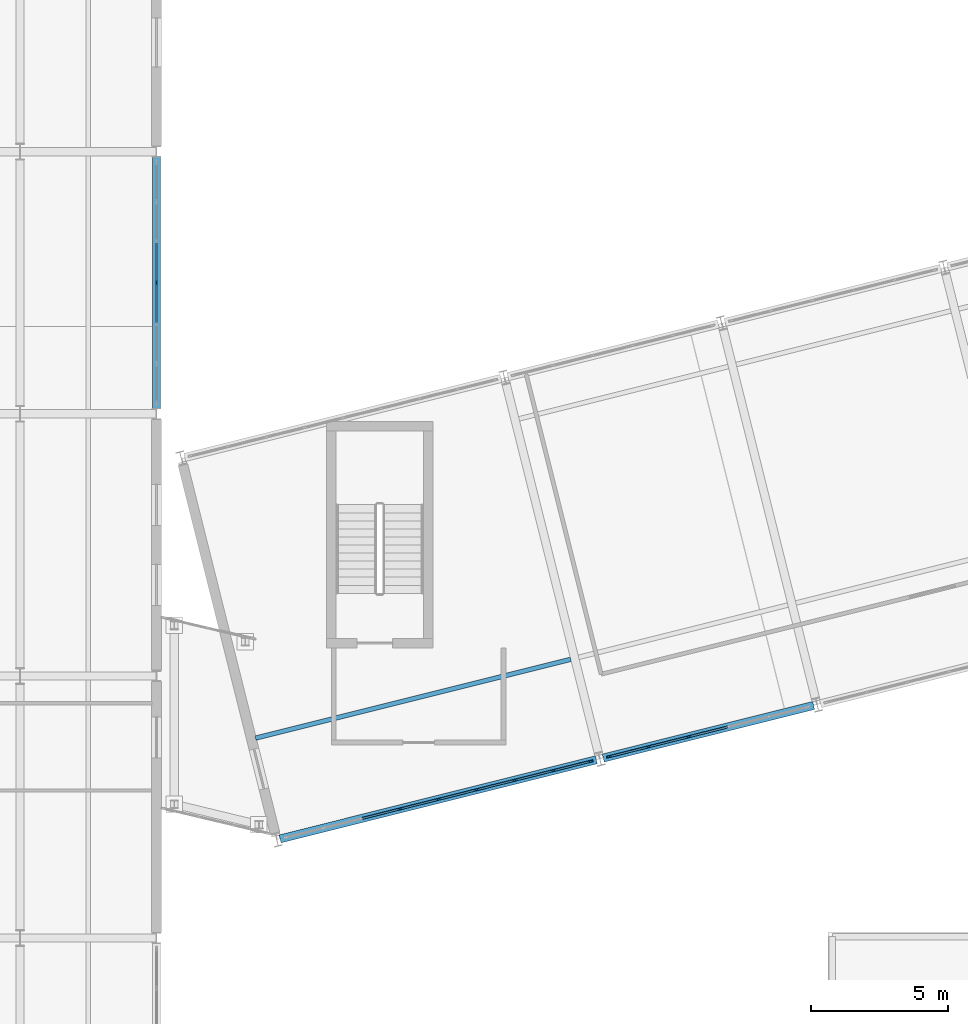
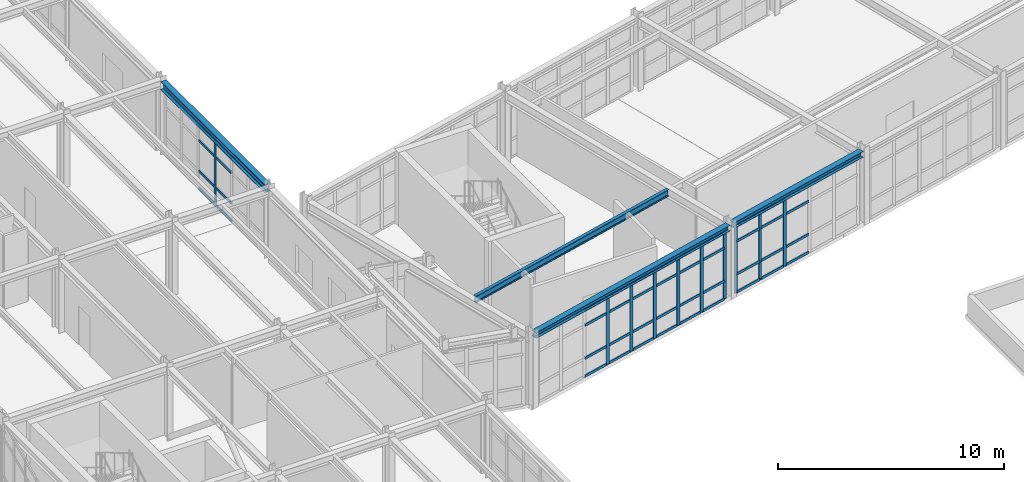
# One storey, part 26 of 99: 53 members, 4 beams, 3 elements without a shape of their own.
"""IFC4 building model written with IfcOpenShell, lengths in metres."""

from ifc_helpers import new_model, si_unit, direction, frame, origin, origin_2d, place, context, subcontext, project, spatial, rectangle, i_section, extrude, material, layer, layer_set, material_profile, profile_set, type_object, element, aggregate, save


model = new_model("IFC4")

# Units and contexts
model_context = context("Model", 3, precision=1e-05, world=origin(), true_north=direction((0.0, 1.0)))
body_context = subcontext(model_context, "Body", "Model", "MODEL_VIEW")
ifc_project = project(units=[si_unit("LENGTHUNIT", "METRE"), si_unit("AREAUNIT", "SQUARE_METRE"), si_unit("VOLUMEUNIT", "CUBIC_METRE"), si_unit("PLANEANGLEUNIT", "RADIAN"), si_unit("MASSUNIT", "GRAM", prefix="KILO")], contexts=[model_context])

# Site, building, storey
site_placement = place(None, origin())
site = spatial("IfcSite", under=ifc_project, at=site_placement, CompositionType="ELEMENT")
building_placement = place(site_placement, origin())
building = spatial("IfcBuilding", under=site, at=building_placement, Name="Nordkorset Police Headquarters", CompositionType="ELEMENT")
storey_placement = place(building_placement, frame((0.0, 0.0, 5.25)))
storey = spatial("IfcBuildingStorey", under=building, at=storey_placement, Name="L01", CompositionType="ELEMENT", Elevation=5.25)

# Beam
ifc_material_1 = material(Name="Steel S355J2", Category="steel")
ifc_material_profile_1 = material_profile(ifc_material_1, i_section(OverallWidth=0.169921875, OverallDepth=0.360107421875, WebThickness=0.008056640625, FlangeThickness=0.0126953125, FilletRadius=0.01806640625, at=origin_2d()), Name="IPE 360")
ifc_profile_set_1 = profile_set([ifc_material_profile_1], Name="Steel S355J2")
beam_type_1 = type_object("IfcBeamType", Name="Beam_IPE_360", PredefinedType="BEAM", material=ifc_profile_set_1)
beam_1_placement = place(storey_placement, frame((22.823974609375, 45.722900390625, 3.780029296875), z_axis=(0.970141293308, 0.242540452333, 0.0), x_axis=(-0.242540452333, 0.970141293308, 0.0)))
element("IfcBeam", 1, at=beam_1_placement, inside=storey, type_object=beam_type_1, Name="Splayed Wing Secondary Beam L01 0-1", PredefinedType="BEAM", context=body_context, shape_type="SweptSolid", body=[
    extrude(i_section(OverallWidth=0.169921875, OverallDepth=0.360107421875, WebThickness=0.008056640625, FlangeThickness=0.0126953125, FilletRadius=0.01806640625, at=origin_2d()), origin(), (0.0, 0.0, 1.0), 11.89990234375),
])

# Curtain wall, member
ifc_material_2 = material(Name="Aluminium alloy AW-6060", Category="aluminium")
ifc_layer_1 = layer(ifc_material_2, 0.179931640625, Name="Aluminium alloy AW-6060")
ifc_layer_set_1 = layer_set([ifc_layer_1], Name="Aluminium alloy AW-6060")
curtain_wall_type_1 = type_object("IfcCurtainWallType", Name="CW_Unit_888x350", PredefinedType="USERDEFINED", material=ifc_layer_set_1)
curtain_wall_1_placement = place(storey_placement, origin())
curtain_wall_1 = element("IfcCurtainWall", 2, at=curtain_wall_1_placement, inside=storey, type_object=curtain_wall_type_1, Name="Unitised Curtain Wall L01 V3E-3", ObjectType="UNITISED CURTAIN WALL", PredefinedType="USERDEFINED")
ifc_material_3 = material(Name="Aluminium alloy AW-6060", Category="aluminium")
ifc_material_profile_2 = material_profile(ifc_material_3, rectangle(XDim=0.06494140625, YDim=0.179931640625, at=origin_2d()), Name="ALU MULL 65x180")
ifc_profile_set_2 = profile_set([ifc_material_profile_2], Name="Aluminium alloy AW-6060")
member_type_1 = type_object("IfcMemberType", Name="CW_Mullion_65x180", PredefinedType="MULLION", material=ifc_profile_set_2)
member_1_placement = place(storey_placement, frame((19.199951171875, 62.39990234375, 0.0), z_axis=(0.0, 0.0, 1.0), x_axis=(-1.0, 0.0, 0.0)))
member_1 = element("IfcMember", 3, at=member_1_placement, type_object=member_type_1, Name="CW-95 mullion 4", PredefinedType="MULLION", context=body_context, shape_type="SweptSolid", body=[
    extrude(rectangle(XDim=0.06494140625, YDim=0.179931640625, at=origin_2d()), origin(), (0.0, 0.0, 1.0), 3.5),
])

# Curtain wall, members
ifc_material_4 = material(Name="Aluminium alloy AW-6060", Category="aluminium")
ifc_layer_2 = layer(ifc_material_4, 0.179931640625, Name="Aluminium alloy AW-6060")
ifc_layer_set_2 = layer_set([ifc_layer_2], Name="Aluminium alloy AW-6060")
curtain_wall_type_2 = type_object("IfcCurtainWallType", Name="CW_Unit_1156x363", PredefinedType="USERDEFINED", material=ifc_layer_set_2)
curtain_wall_2_placement = place(storey_placement, origin())
curtain_wall_2 = element("IfcCurtainWall", 4, at=curtain_wall_2_placement, inside=storey, type_object=curtain_wall_type_2, Name="Unitised Curtain Wall L01 V4S-0", ObjectType="UNITISED CURTAIN WALL", PredefinedType="USERDEFINED")
member_2_placement = place(storey_placement, frame((28.115966796875, 43.12890625, 0.0), z_axis=(0.0, 0.0, 1.0), x_axis=(-0.242535625038, 0.970142500145, 0.0)))
member_2 = element("IfcMember", 5, at=member_2_placement, type_object=member_type_1, Name="CW-01 mullion 4", PredefinedType="MULLION", context=body_context, shape_type="SweptSolid", body=[
    extrude(rectangle(XDim=0.06494140625, YDim=0.179931640625, at=origin_2d()), origin(), (0.0, 0.0, 1.0), 3.6298828125),
])
member_3_placement = place(storey_placement, frame((29.517822265625, 43.4794921875, 0.0), z_axis=(0.0, 0.0, 1.0), x_axis=(-0.242535625038, 0.970142500145, 0.0)))
member_3 = element("IfcMember", 6, at=member_3_placement, type_object=member_type_1, Name="CW-01 mullion 5", PredefinedType="MULLION", context=body_context, shape_type="SweptSolid", body=[
    extrude(rectangle(XDim=0.06494140625, YDim=0.179931640625, at=origin_2d()), origin(), (0.0, 0.0, 1.0), 3.6298828125),
])
member_4_placement = place(storey_placement, frame((30.919677734375, 43.829833984375, 0.0), z_axis=(0.0, 0.0, 1.0), x_axis=(-0.242535625038, 0.970142500145, 0.0)))
member_4 = element("IfcMember", 7, at=member_4_placement, type_object=member_type_1, Name="CW-01 mullion 6", PredefinedType="MULLION", context=body_context, shape_type="SweptSolid", body=[
    extrude(rectangle(XDim=0.06494140625, YDim=0.179931640625, at=origin_2d()), origin(), (0.0, 0.0, 1.0), 3.6298828125),
])
member_5_placement = place(storey_placement, frame((32.321533203125, 44.180419921875, 0.0), z_axis=(0.0, 0.0, 1.0), x_axis=(-0.242535625038, 0.970142500145, 0.0)))
member_5 = element("IfcMember", 8, at=member_5_placement, type_object=member_type_1, Name="CW-01 mullion 7", PredefinedType="MULLION", context=body_context, shape_type="SweptSolid", body=[
    extrude(rectangle(XDim=0.06494140625, YDim=0.179931640625, at=origin_2d()), origin(), (0.0, 0.0, 1.0), 3.6298828125),
])
member_6_placement = place(storey_placement, frame((33.723388671875, 44.53076171875, 0.0), z_axis=(0.0, 0.0, 1.0), x_axis=(-0.242535625038, 0.970142500145, 0.0)))
member_6 = element("IfcMember", 9, at=member_6_placement, type_object=member_type_1, Name="CW-01 mullion 8", PredefinedType="MULLION", context=body_context, shape_type="SweptSolid", body=[
    extrude(rectangle(XDim=0.06494140625, YDim=0.179931640625, at=origin_2d()), origin(), (0.0, 0.0, 1.0), 3.6298828125),
])
member_7_placement = place(storey_placement, frame((35.09375, 44.87353515625, 0.0), z_axis=(0.0, 0.0, 1.0), x_axis=(-0.242535625038, 0.970142500145, 0.0)))
member_7 = element("IfcMember", 10, at=member_7_placement, type_object=member_type_1, Name="CW-01 mullion 9", PredefinedType="MULLION", context=body_context, shape_type="SweptSolid", body=[
    extrude(rectangle(XDim=0.06494140625, YDim=0.179931640625, at=origin_2d()), origin(), (0.0, 0.0, 1.0), 3.6298828125),
])

ifc_material_5 = material(Name="Aluminium alloy AW-6060", Category="aluminium")
ifc_layer_3 = layer(ifc_material_5, 0.179931640625, Name="Aluminium alloy AW-6060")
ifc_layer_set_3 = layer_set([ifc_layer_3], Name="Aluminium alloy AW-6060")
curtain_wall_type_3 = type_object("IfcCurtainWallType", Name="CW_Unit_756x363", PredefinedType="USERDEFINED", material=ifc_layer_set_3)
curtain_wall_3_placement = place(storey_placement, origin())
curtain_wall_3 = element("IfcCurtainWall", 11, at=curtain_wall_3_placement, inside=storey, type_object=curtain_wall_type_3, Name="Unitised Curtain Wall L01 V4S-1", ObjectType="UNITISED CURTAIN WALL", PredefinedType="USERDEFINED")
member_8_placement = place(storey_placement, frame((35.777587890625, 45.04443359375, 0.0), z_axis=(0.0, 0.0, 1.0), x_axis=(-0.242535625038, 0.970142500145, 0.0)))
member_8 = element("IfcMember", 12, at=member_8_placement, type_object=member_type_1, Name="CW-24 mullion 1", PredefinedType="MULLION", context=body_context, shape_type="SweptSolid", body=[
    extrude(rectangle(XDim=0.06494140625, YDim=0.179931640625, at=origin_2d()), origin(), (0.0, 0.0, 1.0), 3.6298828125),
])
member_9_placement = place(storey_placement, frame((37.213134765625, 45.4033203125, 0.0), z_axis=(0.0, 0.0, 1.0), x_axis=(-0.242535625038, 0.970142500145, 0.0)))
member_9 = element("IfcMember", 13, at=member_9_placement, type_object=member_type_1, Name="CW-24 mullion 2", PredefinedType="MULLION", context=body_context, shape_type="SweptSolid", body=[
    extrude(rectangle(XDim=0.06494140625, YDim=0.179931640625, at=origin_2d()), origin(), (0.0, 0.0, 1.0), 3.6298828125),
])
member_10_placement = place(storey_placement, frame((38.679931640625, 45.77001953125, 0.0), z_axis=(0.0, 0.0, 1.0), x_axis=(-0.242535625038, 0.970142500145, 0.0)))
member_10 = element("IfcMember", 14, at=member_10_placement, type_object=member_type_1, Name="CW-24 mullion 3", PredefinedType="MULLION", context=body_context, shape_type="SweptSolid", body=[
    extrude(rectangle(XDim=0.06494140625, YDim=0.179931640625, at=origin_2d()), origin(), (0.0, 0.0, 1.0), 3.6298828125),
])

# Member
ifc_material_6 = material(Name="Aluminium alloy AW-6060", Category="aluminium")
ifc_material_profile_3 = material_profile(ifc_material_6, rectangle(XDim=0.06494140625, YDim=0.139892578125, at=origin_2d()), Name="ALU TRAN 65x140")
ifc_profile_set_3 = profile_set([ifc_material_profile_3], Name="Aluminium alloy AW-6060")
member_type_2 = type_object("IfcMemberType", Name="CW_Transom_65x140", PredefinedType="USERDEFINED", material=ifc_profile_set_3)
member_11_placement = place(storey_placement, frame((19.199951171875, 60.952392578125, 0.032470703125), z_axis=(0.0, 1.0, 0.0), x_axis=(-1.0, 0.0, 0.0)))
member_11 = element("IfcMember", 15, at=member_11_placement, type_object=member_type_2, Name="CW-95 transom 3.1", ObjectType="TRANSOM", PredefinedType="USERDEFINED", context=body_context, shape_type="SweptSolid", body=[
    extrude(rectangle(XDim=0.06494140625, YDim=0.139892578125, at=origin_2d()), origin(), (0.0, 0.0, 1.0), 1.4150390625),
])

member_12_placement = place(storey_placement, frame((19.199951171875, 60.952392578125, 1.0), z_axis=(0.0, 1.0, 0.0), x_axis=(-1.0, 0.0, 0.0)))
member_12 = element("IfcMember", 16, at=member_12_placement, type_object=member_type_2, Name="CW-95 transom 3.2", ObjectType="TRANSOM", PredefinedType="USERDEFINED", context=body_context, shape_type="SweptSolid", body=[
    extrude(rectangle(XDim=0.06494140625, YDim=0.139892578125, at=origin_2d()), origin(), (0.0, 0.0, 1.0), 1.4150390625),
])

member_13_placement = place(storey_placement, frame((19.199951171875, 60.952392578125, 2.64990234375), z_axis=(0.0, 1.0, 0.0), x_axis=(-1.0, 0.0, 0.0)))
member_13 = element("IfcMember", 17, at=member_13_placement, type_object=member_type_2, Name="CW-95 transom 3.3", ObjectType="TRANSOM", PredefinedType="USERDEFINED", context=body_context, shape_type="SweptSolid", body=[
    extrude(rectangle(XDim=0.06494140625, YDim=0.139892578125, at=origin_2d()), origin(), (0.0, 0.0, 1.0), 1.4150390625),
])

member_14_placement = place(storey_placement, frame((19.199951171875, 60.952392578125, 3.467529296875), z_axis=(0.0, 1.0, 0.0), x_axis=(-1.0, 0.0, 0.0)))
member_14 = element("IfcMember", 18, at=member_14_placement, type_object=member_type_2, Name="CW-95 transom 3.4", ObjectType="TRANSOM", PredefinedType="USERDEFINED", context=body_context, shape_type="SweptSolid", body=[
    extrude(rectangle(XDim=0.06494140625, YDim=0.139892578125, at=origin_2d()), origin(), (0.0, 0.0, 1.0), 1.4150390625),
])

member_15_placement = place(storey_placement, frame((19.199951171875, 62.4326171875, 0.032470703125), z_axis=(0.0, 1.0, 0.0), x_axis=(-1.0, 0.0, 0.0)))
member_15 = element("IfcMember", 19, at=member_15_placement, type_object=member_type_2, Name="CW-95 transom 4.1", ObjectType="TRANSOM", PredefinedType="USERDEFINED", context=body_context, shape_type="SweptSolid", body=[
    extrude(rectangle(XDim=0.06494140625, YDim=0.139892578125, at=origin_2d()), origin(), (0.0, 0.0, 1.0), 1.414794921875),
])

member_16_placement = place(storey_placement, frame((19.199951171875, 62.4326171875, 1.0), z_axis=(0.0, 1.0, 0.0), x_axis=(-1.0, 0.0, 0.0)))
member_16 = element("IfcMember", 20, at=member_16_placement, type_object=member_type_2, Name="CW-95 transom 4.2", ObjectType="TRANSOM", PredefinedType="USERDEFINED", context=body_context, shape_type="SweptSolid", body=[
    extrude(rectangle(XDim=0.06494140625, YDim=0.139892578125, at=origin_2d()), origin(), (0.0, 0.0, 1.0), 1.414794921875),
])

member_17_placement = place(storey_placement, frame((19.199951171875, 62.4326171875, 2.64990234375), z_axis=(0.0, 1.0, 0.0), x_axis=(-1.0, 0.0, 0.0)))
member_17 = element("IfcMember", 21, at=member_17_placement, type_object=member_type_2, Name="CW-95 transom 4.3", ObjectType="TRANSOM", PredefinedType="USERDEFINED", context=body_context, shape_type="SweptSolid", body=[
    extrude(rectangle(XDim=0.06494140625, YDim=0.139892578125, at=origin_2d()), origin(), (0.0, 0.0, 1.0), 1.414794921875),
])

member_18_placement = place(storey_placement, frame((19.199951171875, 62.4326171875, 3.467529296875), z_axis=(0.0, 1.0, 0.0), x_axis=(-1.0, 0.0, 0.0)))
member_18 = element("IfcMember", 22, at=member_18_placement, type_object=member_type_2, Name="CW-95 transom 4.4", ObjectType="TRANSOM", PredefinedType="USERDEFINED", context=body_context, shape_type="SweptSolid", body=[
    extrude(rectangle(XDim=0.06494140625, YDim=0.139892578125, at=origin_2d()), origin(), (0.0, 0.0, 1.0), 1.414794921875),
])

aggregate(curtain_wall_1, [member_1, member_11, member_12, member_13, member_14, member_15, member_16, member_17, member_18])

member_19_placement = place(storey_placement, frame((26.74560546875, 42.786376953125, 0.032470703125), z_axis=(0.970142500145, 0.242535625036, 0.0), x_axis=(-0.242535625036, 0.970142500145, 0.0)))
member_19 = element("IfcMember", 23, at=member_19_placement, type_object=member_type_2, Name="CW-01 transom 3.1", ObjectType="TRANSOM", PredefinedType="USERDEFINED", context=body_context, shape_type="SweptSolid", body=[
    extrude(rectangle(XDim=0.06494140625, YDim=0.139892578125, at=origin_2d()), origin(), (0.0, 0.0, 1.0), 1.380126953125),
])

member_20_placement = place(storey_placement, frame((26.74560546875, 42.786376953125, 1.0), z_axis=(0.970142500145, 0.242535625036, 0.0), x_axis=(-0.242535625036, 0.970142500145, 0.0)))
member_20 = element("IfcMember", 24, at=member_20_placement, type_object=member_type_2, Name="CW-01 transom 3.2", ObjectType="TRANSOM", PredefinedType="USERDEFINED", context=body_context, shape_type="SweptSolid", body=[
    extrude(rectangle(XDim=0.06494140625, YDim=0.139892578125, at=origin_2d()), origin(), (0.0, 0.0, 1.0), 1.380126953125),
])

member_21_placement = place(storey_placement, frame((26.74560546875, 42.786376953125, 2.780029296875), z_axis=(0.970142500145, 0.242535625036, 0.0), x_axis=(-0.242535625036, 0.970142500145, 0.0)))
member_21 = element("IfcMember", 25, at=member_21_placement, type_object=member_type_2, Name="CW-01 transom 3.3", ObjectType="TRANSOM", PredefinedType="USERDEFINED", context=body_context, shape_type="SweptSolid", body=[
    extrude(rectangle(XDim=0.06494140625, YDim=0.139892578125, at=origin_2d()), origin(), (0.0, 0.0, 1.0), 1.380126953125),
])

member_22_placement = place(storey_placement, frame((26.74560546875, 42.786376953125, 3.597412109375), z_axis=(0.970142500145, 0.242535625036, 0.0), x_axis=(-0.242535625036, 0.970142500145, 0.0)))
member_22 = element("IfcMember", 26, at=member_22_placement, type_object=member_type_2, Name="CW-01 transom 3.4", ObjectType="TRANSOM", PredefinedType="USERDEFINED", context=body_context, shape_type="SweptSolid", body=[
    extrude(rectangle(XDim=0.06494140625, YDim=0.139892578125, at=origin_2d()), origin(), (0.0, 0.0, 1.0), 1.380126953125),
])

member_23_placement = place(storey_placement, frame((28.1474609375, 43.136962890625, 0.032470703125), z_axis=(0.970142500145, 0.242535625036, 0.0), x_axis=(-0.242535625036, 0.970142500145, 0.0)))
member_23 = element("IfcMember", 27, at=member_23_placement, type_object=member_type_2, Name="CW-01 transom 4.1", ObjectType="TRANSOM", PredefinedType="USERDEFINED", context=body_context, shape_type="SweptSolid", body=[
    extrude(rectangle(XDim=0.06494140625, YDim=0.139892578125, at=origin_2d()), origin(), (0.0, 0.0, 1.0), 1.380126953125),
])

member_24_placement = place(storey_placement, frame((28.1474609375, 43.136962890625, 1.0), z_axis=(0.970142500145, 0.242535625036, 0.0), x_axis=(-0.242535625036, 0.970142500145, 0.0)))
member_24 = element("IfcMember", 28, at=member_24_placement, type_object=member_type_2, Name="CW-01 transom 4.2", ObjectType="TRANSOM", PredefinedType="USERDEFINED", context=body_context, shape_type="SweptSolid", body=[
    extrude(rectangle(XDim=0.06494140625, YDim=0.139892578125, at=origin_2d()), origin(), (0.0, 0.0, 1.0), 1.380126953125),
])

member_25_placement = place(storey_placement, frame((28.1474609375, 43.136962890625, 2.780029296875), z_axis=(0.970142500145, 0.242535625036, 0.0), x_axis=(-0.242535625036, 0.970142500145, 0.0)))
member_25 = element("IfcMember", 29, at=member_25_placement, type_object=member_type_2, Name="CW-01 transom 4.3", ObjectType="TRANSOM", PredefinedType="USERDEFINED", context=body_context, shape_type="SweptSolid", body=[
    extrude(rectangle(XDim=0.06494140625, YDim=0.139892578125, at=origin_2d()), origin(), (0.0, 0.0, 1.0), 1.380126953125),
])

member_26_placement = place(storey_placement, frame((28.1474609375, 43.136962890625, 3.597412109375), z_axis=(0.970142500145, 0.242535625036, 0.0), x_axis=(-0.242535625036, 0.970142500145, 0.0)))
member_26 = element("IfcMember", 30, at=member_26_placement, type_object=member_type_2, Name="CW-01 transom 4.4", ObjectType="TRANSOM", PredefinedType="USERDEFINED", context=body_context, shape_type="SweptSolid", body=[
    extrude(rectangle(XDim=0.06494140625, YDim=0.139892578125, at=origin_2d()), origin(), (0.0, 0.0, 1.0), 1.380126953125),
])

member_27_placement = place(storey_placement, frame((29.54931640625, 43.4873046875, 0.032470703125), z_axis=(0.970142500145, 0.242535625036, 0.0), x_axis=(-0.242535625036, 0.970142500145, 0.0)))
member_27 = element("IfcMember", 31, at=member_27_placement, type_object=member_type_2, Name="CW-01 transom 5.1", ObjectType="TRANSOM", PredefinedType="USERDEFINED", context=body_context, shape_type="SweptSolid", body=[
    extrude(rectangle(XDim=0.06494140625, YDim=0.139892578125, at=origin_2d()), origin(), (0.0, 0.0, 1.0), 1.380126953125),
])

member_28_placement = place(storey_placement, frame((29.54931640625, 43.4873046875, 1.0), z_axis=(0.970142500145, 0.242535625036, 0.0), x_axis=(-0.242535625036, 0.970142500145, 0.0)))
member_28 = element("IfcMember", 32, at=member_28_placement, type_object=member_type_2, Name="CW-01 transom 5.2", ObjectType="TRANSOM", PredefinedType="USERDEFINED", context=body_context, shape_type="SweptSolid", body=[
    extrude(rectangle(XDim=0.06494140625, YDim=0.139892578125, at=origin_2d()), origin(), (0.0, 0.0, 1.0), 1.380126953125),
])

member_29_placement = place(storey_placement, frame((29.54931640625, 43.4873046875, 2.780029296875), z_axis=(0.970142500145, 0.242535625036, 0.0), x_axis=(-0.242535625036, 0.970142500145, 0.0)))
member_29 = element("IfcMember", 33, at=member_29_placement, type_object=member_type_2, Name="CW-01 transom 5.3", ObjectType="TRANSOM", PredefinedType="USERDEFINED", context=body_context, shape_type="SweptSolid", body=[
    extrude(rectangle(XDim=0.06494140625, YDim=0.139892578125, at=origin_2d()), origin(), (0.0, 0.0, 1.0), 1.380126953125),
])

member_30_placement = place(storey_placement, frame((29.54931640625, 43.4873046875, 3.597412109375), z_axis=(0.970142500145, 0.242535625036, 0.0), x_axis=(-0.242535625036, 0.970142500145, 0.0)))
member_30 = element("IfcMember", 34, at=member_30_placement, type_object=member_type_2, Name="CW-01 transom 5.4", ObjectType="TRANSOM", PredefinedType="USERDEFINED", context=body_context, shape_type="SweptSolid", body=[
    extrude(rectangle(XDim=0.06494140625, YDim=0.139892578125, at=origin_2d()), origin(), (0.0, 0.0, 1.0), 1.380126953125),
])

member_31_placement = place(storey_placement, frame((30.951171875, 43.837890625, 0.032470703125), z_axis=(0.970142500145, 0.242535625036, 0.0), x_axis=(-0.242535625036, 0.970142500145, 0.0)))
member_31 = element("IfcMember", 35, at=member_31_placement, type_object=member_type_2, Name="CW-01 transom 6.1", ObjectType="TRANSOM", PredefinedType="USERDEFINED", context=body_context, shape_type="SweptSolid", body=[
    extrude(rectangle(XDim=0.06494140625, YDim=0.139892578125, at=origin_2d()), origin(), (0.0, 0.0, 1.0), 1.380126953125),
])

member_32_placement = place(storey_placement, frame((30.951171875, 43.837890625, 1.0), z_axis=(0.970142500145, 0.242535625036, 0.0), x_axis=(-0.242535625036, 0.970142500145, 0.0)))
member_32 = element("IfcMember", 36, at=member_32_placement, type_object=member_type_2, Name="CW-01 transom 6.2", ObjectType="TRANSOM", PredefinedType="USERDEFINED", context=body_context, shape_type="SweptSolid", body=[
    extrude(rectangle(XDim=0.06494140625, YDim=0.139892578125, at=origin_2d()), origin(), (0.0, 0.0, 1.0), 1.380126953125),
])

member_33_placement = place(storey_placement, frame((30.951171875, 43.837890625, 2.780029296875), z_axis=(0.970142500145, 0.242535625036, 0.0), x_axis=(-0.242535625036, 0.970142500145, 0.0)))
member_33 = element("IfcMember", 37, at=member_33_placement, type_object=member_type_2, Name="CW-01 transom 6.3", ObjectType="TRANSOM", PredefinedType="USERDEFINED", context=body_context, shape_type="SweptSolid", body=[
    extrude(rectangle(XDim=0.06494140625, YDim=0.139892578125, at=origin_2d()), origin(), (0.0, 0.0, 1.0), 1.380126953125),
])

member_34_placement = place(storey_placement, frame((30.951171875, 43.837890625, 3.597412109375), z_axis=(0.970142500145, 0.242535625036, 0.0), x_axis=(-0.242535625036, 0.970142500145, 0.0)))
member_34 = element("IfcMember", 38, at=member_34_placement, type_object=member_type_2, Name="CW-01 transom 6.4", ObjectType="TRANSOM", PredefinedType="USERDEFINED", context=body_context, shape_type="SweptSolid", body=[
    extrude(rectangle(XDim=0.06494140625, YDim=0.139892578125, at=origin_2d()), origin(), (0.0, 0.0, 1.0), 1.380126953125),
])

member_35_placement = place(storey_placement, frame((32.35302734375, 44.188232421875, 0.032470703125), z_axis=(0.970142500145, 0.242535625036, 0.0), x_axis=(-0.242535625036, 0.970142500145, 0.0)))
member_35 = element("IfcMember", 39, at=member_35_placement, type_object=member_type_2, Name="CW-01 transom 7.1", ObjectType="TRANSOM", PredefinedType="USERDEFINED", context=body_context, shape_type="SweptSolid", body=[
    extrude(rectangle(XDim=0.06494140625, YDim=0.139892578125, at=origin_2d()), origin(), (0.0, 0.0, 1.0), 1.380126953125),
])

member_36_placement = place(storey_placement, frame((32.35302734375, 44.188232421875, 1.0), z_axis=(0.970142500145, 0.242535625036, 0.0), x_axis=(-0.242535625036, 0.970142500145, 0.0)))
member_36 = element("IfcMember", 40, at=member_36_placement, type_object=member_type_2, Name="CW-01 transom 7.2", ObjectType="TRANSOM", PredefinedType="USERDEFINED", context=body_context, shape_type="SweptSolid", body=[
    extrude(rectangle(XDim=0.06494140625, YDim=0.139892578125, at=origin_2d()), origin(), (0.0, 0.0, 1.0), 1.380126953125),
])

member_37_placement = place(storey_placement, frame((32.35302734375, 44.188232421875, 2.780029296875), z_axis=(0.970142500145, 0.242535625036, 0.0), x_axis=(-0.242535625036, 0.970142500145, 0.0)))
member_37 = element("IfcMember", 41, at=member_37_placement, type_object=member_type_2, Name="CW-01 transom 7.3", ObjectType="TRANSOM", PredefinedType="USERDEFINED", context=body_context, shape_type="SweptSolid", body=[
    extrude(rectangle(XDim=0.06494140625, YDim=0.139892578125, at=origin_2d()), origin(), (0.0, 0.0, 1.0), 1.380126953125),
])

member_38_placement = place(storey_placement, frame((32.35302734375, 44.188232421875, 3.597412109375), z_axis=(0.970142500145, 0.242535625036, 0.0), x_axis=(-0.242535625036, 0.970142500145, 0.0)))
member_38 = element("IfcMember", 42, at=member_38_placement, type_object=member_type_2, Name="CW-01 transom 7.4", ObjectType="TRANSOM", PredefinedType="USERDEFINED", context=body_context, shape_type="SweptSolid", body=[
    extrude(rectangle(XDim=0.06494140625, YDim=0.139892578125, at=origin_2d()), origin(), (0.0, 0.0, 1.0), 1.380126953125),
])

member_39_placement = place(storey_placement, frame((33.7548828125, 44.538818359375, 0.032470703125), z_axis=(0.970174463193, 0.242407737022, 0.0), x_axis=(-0.242407737022, 0.970174463193, 0.0)))
member_39 = element("IfcMember", 43, at=member_39_placement, type_object=member_type_2, Name="CW-01 transom 8.1", ObjectType="TRANSOM", PredefinedType="USERDEFINED", context=body_context, shape_type="SweptSolid", body=[
    extrude(rectangle(XDim=0.06494140625, YDim=0.139892578125, at=origin_2d()), origin(), (0.0, 0.0, 1.0), 1.34765625),
])

member_40_placement = place(storey_placement, frame((33.7548828125, 44.538818359375, 1.0), z_axis=(0.970174463193, 0.242407737022, 0.0), x_axis=(-0.242407737022, 0.970174463193, 0.0)))
member_40 = element("IfcMember", 44, at=member_40_placement, type_object=member_type_2, Name="CW-01 transom 8.2", ObjectType="TRANSOM", PredefinedType="USERDEFINED", context=body_context, shape_type="SweptSolid", body=[
    extrude(rectangle(XDim=0.06494140625, YDim=0.139892578125, at=origin_2d()), origin(), (0.0, 0.0, 1.0), 1.34765625),
])

member_41_placement = place(storey_placement, frame((33.7548828125, 44.538818359375, 2.780029296875), z_axis=(0.970174463193, 0.242407737022, 0.0), x_axis=(-0.242407737022, 0.970174463193, 0.0)))
member_41 = element("IfcMember", 45, at=member_41_placement, type_object=member_type_2, Name="CW-01 transom 8.3", ObjectType="TRANSOM", PredefinedType="USERDEFINED", context=body_context, shape_type="SweptSolid", body=[
    extrude(rectangle(XDim=0.06494140625, YDim=0.139892578125, at=origin_2d()), origin(), (0.0, 0.0, 1.0), 1.34765625),
])

member_42_placement = place(storey_placement, frame((33.7548828125, 44.538818359375, 3.597412109375), z_axis=(0.970174463193, 0.242407737022, 0.0), x_axis=(-0.242407737022, 0.970174463193, 0.0)))
member_42 = element("IfcMember", 46, at=member_42_placement, type_object=member_type_2, Name="CW-01 transom 8.4", ObjectType="TRANSOM", PredefinedType="USERDEFINED", context=body_context, shape_type="SweptSolid", body=[
    extrude(rectangle(XDim=0.06494140625, YDim=0.139892578125, at=origin_2d()), origin(), (0.0, 0.0, 1.0), 1.34765625),
])

aggregate(curtain_wall_2, [member_2, member_3, member_4, member_5, member_6, member_7, member_19, member_20, member_21, member_22, member_23, member_24, member_25, member_26, member_27, member_28, member_29, member_30, member_31, member_32, member_33, member_34, member_35, member_36, member_37, member_38, member_39, member_40, member_41, member_42])

member_43_placement = place(storey_placement, frame((35.809326171875, 45.05224609375, 0.032470703125), z_axis=(0.970142500145, 0.242535625036, 0.0), x_axis=(-0.242535625036, 0.970142500145, 0.0)))
member_43 = element("IfcMember", 47, at=member_43_placement, type_object=member_type_2, Name="CW-24 transom 1.1", ObjectType="TRANSOM", PredefinedType="USERDEFINED", context=body_context, shape_type="SweptSolid", body=[
    extrude(rectangle(XDim=0.06494140625, YDim=0.139892578125, at=origin_2d()), origin(), (0.0, 0.0, 1.0), 1.414306640625),
])

member_44_placement = place(storey_placement, frame((35.809326171875, 45.05224609375, 1.0), z_axis=(0.970142500145, 0.242535625036, 0.0), x_axis=(-0.242535625036, 0.970142500145, 0.0)))
member_44 = element("IfcMember", 48, at=member_44_placement, type_object=member_type_2, Name="CW-24 transom 1.2", ObjectType="TRANSOM", PredefinedType="USERDEFINED", context=body_context, shape_type="SweptSolid", body=[
    extrude(rectangle(XDim=0.06494140625, YDim=0.139892578125, at=origin_2d()), origin(), (0.0, 0.0, 1.0), 1.414306640625),
])

member_45_placement = place(storey_placement, frame((35.809326171875, 45.05224609375, 2.780029296875), z_axis=(0.970142500145, 0.242535625036, 0.0), x_axis=(-0.242535625036, 0.970142500145, 0.0)))
member_45 = element("IfcMember", 49, at=member_45_placement, type_object=member_type_2, Name="CW-24 transom 1.3", ObjectType="TRANSOM", PredefinedType="USERDEFINED", context=body_context, shape_type="SweptSolid", body=[
    extrude(rectangle(XDim=0.06494140625, YDim=0.139892578125, at=origin_2d()), origin(), (0.0, 0.0, 1.0), 1.414306640625),
])

member_46_placement = place(storey_placement, frame((35.809326171875, 45.05224609375, 3.597412109375), z_axis=(0.970142500145, 0.242535625036, 0.0), x_axis=(-0.242535625036, 0.970142500145, 0.0)))
member_46 = element("IfcMember", 50, at=member_46_placement, type_object=member_type_2, Name="CW-24 transom 1.4", ObjectType="TRANSOM", PredefinedType="USERDEFINED", context=body_context, shape_type="SweptSolid", body=[
    extrude(rectangle(XDim=0.06494140625, YDim=0.139892578125, at=origin_2d()), origin(), (0.0, 0.0, 1.0), 1.414306640625),
])

member_47_placement = place(storey_placement, frame((37.24462890625, 45.4111328125, 0.032470703125), z_axis=(0.97012264784, 0.242615020451, 0.0), x_axis=(-0.242615020451, 0.97012264784, 0.0)))
member_47 = element("IfcMember", 51, at=member_47_placement, type_object=member_type_2, Name="CW-24 transom 2.1", ObjectType="TRANSOM", PredefinedType="USERDEFINED", context=body_context, shape_type="SweptSolid", body=[
    extrude(rectangle(XDim=0.06494140625, YDim=0.139892578125, at=origin_2d()), origin(), (0.0, 0.0, 1.0), 1.447021484375),
])

member_48_placement = place(storey_placement, frame((37.24462890625, 45.4111328125, 1.0), z_axis=(0.97012264784, 0.242615020451, 0.0), x_axis=(-0.242615020451, 0.97012264784, 0.0)))
member_48 = element("IfcMember", 52, at=member_48_placement, type_object=member_type_2, Name="CW-24 transom 2.2", ObjectType="TRANSOM", PredefinedType="USERDEFINED", context=body_context, shape_type="SweptSolid", body=[
    extrude(rectangle(XDim=0.06494140625, YDim=0.139892578125, at=origin_2d()), origin(), (0.0, 0.0, 1.0), 1.447021484375),
])

member_49_placement = place(storey_placement, frame((37.24462890625, 45.4111328125, 2.780029296875), z_axis=(0.97012264784, 0.242615020451, 0.0), x_axis=(-0.242615020451, 0.97012264784, 0.0)))
member_49 = element("IfcMember", 53, at=member_49_placement, type_object=member_type_2, Name="CW-24 transom 2.3", ObjectType="TRANSOM", PredefinedType="USERDEFINED", context=body_context, shape_type="SweptSolid", body=[
    extrude(rectangle(XDim=0.06494140625, YDim=0.139892578125, at=origin_2d()), origin(), (0.0, 0.0, 1.0), 1.447021484375),
])

member_50_placement = place(storey_placement, frame((37.24462890625, 45.4111328125, 3.597412109375), z_axis=(0.97012264784, 0.242615020451, 0.0), x_axis=(-0.242615020451, 0.97012264784, 0.0)))
member_50 = element("IfcMember", 54, at=member_50_placement, type_object=member_type_2, Name="CW-24 transom 2.4", ObjectType="TRANSOM", PredefinedType="USERDEFINED", context=body_context, shape_type="SweptSolid", body=[
    extrude(rectangle(XDim=0.06494140625, YDim=0.139892578125, at=origin_2d()), origin(), (0.0, 0.0, 1.0), 1.447021484375),
])

member_51_placement = place(storey_placement, frame((38.71142578125, 45.77783203125, 0.032470703125), z_axis=(0.97012264784, 0.242615020451, 0.0), x_axis=(-0.242615020451, 0.97012264784, 0.0)))
member_51 = element("IfcMember", 55, at=member_51_placement, type_object=member_type_2, Name="CW-24 transom 3.1", ObjectType="TRANSOM", PredefinedType="USERDEFINED", context=body_context, shape_type="SweptSolid", body=[
    extrude(rectangle(XDim=0.06494140625, YDim=0.139892578125, at=origin_2d()), origin(), (0.0, 0.0, 1.0), 1.447021484375),
])

member_52_placement = place(storey_placement, frame((38.71142578125, 45.77783203125, 1.0), z_axis=(0.97012264784, 0.242615020451, 0.0), x_axis=(-0.242615020451, 0.97012264784, 0.0)))
member_52 = element("IfcMember", 56, at=member_52_placement, type_object=member_type_2, Name="CW-24 transom 3.2", ObjectType="TRANSOM", PredefinedType="USERDEFINED", context=body_context, shape_type="SweptSolid", body=[
    extrude(rectangle(XDim=0.06494140625, YDim=0.139892578125, at=origin_2d()), origin(), (0.0, 0.0, 1.0), 1.447021484375),
])

member_53_placement = place(storey_placement, frame((38.71142578125, 45.77783203125, 2.780029296875), z_axis=(0.97012264784, 0.242615020451, 0.0), x_axis=(-0.242615020451, 0.97012264784, 0.0)))
member_53 = element("IfcMember", 57, at=member_53_placement, type_object=member_type_2, Name="CW-24 transom 3.3", ObjectType="TRANSOM", PredefinedType="USERDEFINED", context=body_context, shape_type="SweptSolid", body=[
    extrude(rectangle(XDim=0.06494140625, YDim=0.139892578125, at=origin_2d()), origin(), (0.0, 0.0, 1.0), 1.447021484375),
])

aggregate(curtain_wall_3, [member_8, member_9, member_10, member_43, member_44, member_45, member_46, member_47, member_48, member_49, member_50, member_51, member_52, member_53])

# Beams
ifc_material_7 = material(Name="Steel S355J2", Category="steel")
ifc_material_profile_4 = material_profile(ifc_material_7, i_section(OverallWidth=0.300048828125, OverallDepth=0.43994140625, WebThickness=0.011474609375, FlangeThickness=0.02099609375, FilletRadius=0.027099609375, at=origin_2d()), Name="HEA 450")
ifc_profile_set_4 = profile_set([ifc_material_profile_4], Name="Steel S355J2")
beam_type_2 = type_object("IfcBeamType", Name="Girder_HEA_450", PredefinedType="USERDEFINED", material=ifc_profile_set_4)
beam_2_placement = place(storey_placement, frame((19.199951171875, 57.800048828125, 3.739990234375), z_axis=(0.0, 1.0, 0.0), x_axis=(-1.0, 0.0, 0.0)))
element("IfcBeam", 58, at=beam_2_placement, inside=storey, type_object=beam_type_2, Name="Girder V3 L01 GY-3-3", ObjectType="GIRDER", PredefinedType="USERDEFINED", context=body_context, shape_type="SweptSolid", body=[
    extrude(i_section(OverallWidth=0.300048828125, OverallDepth=0.43994140625, WebThickness=0.011474609375, FlangeThickness=0.02099609375, FilletRadius=0.027099609375, at=origin_2d()), origin(), (0.0, 0.0, 1.0), 9.199951171875),
])
ifc_material_8 = material(Name="Steel S355J2", Category="steel")
ifc_material_profile_5 = material_profile(ifc_material_8, i_section(OverallWidth=0.300048828125, OverallDepth=0.31005859375, WebThickness=0.009033203125, FlangeThickness=0.015380859375, FilletRadius=0.027099609375, at=origin_2d()), Name="HEA 320")
ifc_profile_set_5 = profile_set([ifc_material_profile_5], Name="Steel S355J2")
beam_type_3 = type_object("IfcBeamType", Name="Spandrel_HEA_320", PredefinedType="SPANDREL", material=ifc_profile_set_5)
beam_3_placement = place(storey_placement, frame((23.72607421875, 42.031494140625, 3.804931640625), z_axis=(0.970140094539, 0.242545247258, 0.0), x_axis=(-0.242545247258, 0.970140094539, 0.0)))
element("IfcBeam", 59, at=beam_3_placement, inside=storey, type_object=beam_type_3, Name="Splayed Wing Spandrel L01 0-0", PredefinedType="SPANDREL", context=body_context, shape_type="SweptSolid", body=[
    extrude(i_section(OverallWidth=0.300048828125, OverallDepth=0.31005859375, WebThickness=0.009033203125, FlangeThickness=0.015380859375, FilletRadius=0.027099609375, at=origin_2d()), origin(), (0.0, 0.0, 1.0), 11.93994140625),
])
beam_4_placement = place(storey_placement, frame((35.561767578125, 44.990478515625, 3.804931640625), z_axis=(0.970142500145, 0.242535625036, 0.0), x_axis=(-0.242535625036, 0.970142500145, 0.0)))
element("IfcBeam", 60, at=beam_4_placement, inside=storey, type_object=beam_type_3, Name="Splayed Wing Spandrel L01 1-0", PredefinedType="SPANDREL", context=body_context, shape_type="SweptSolid", body=[
    extrude(i_section(OverallWidth=0.300048828125, OverallDepth=0.31005859375, WebThickness=0.009033203125, FlangeThickness=0.015380859375, FilletRadius=0.027099609375, at=origin_2d()), origin(), (0.0, 0.0, 1.0), 7.940185546875),
])

save(model, "model.ifc")
